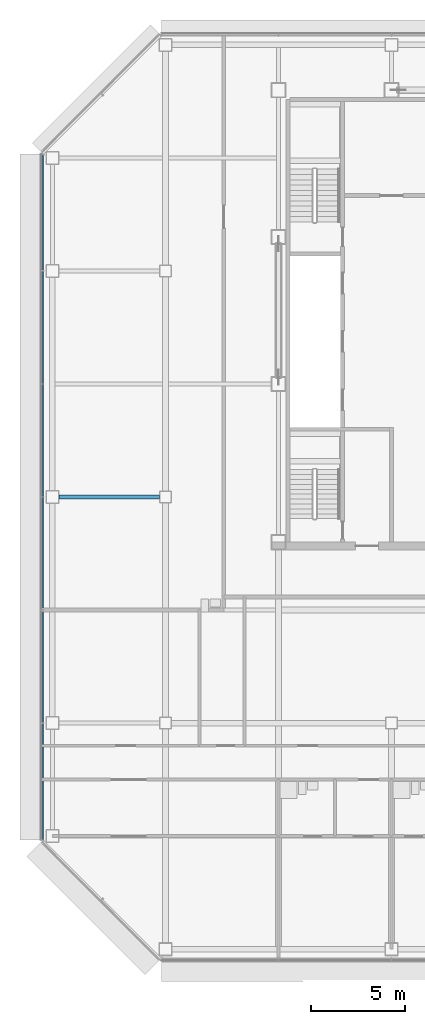
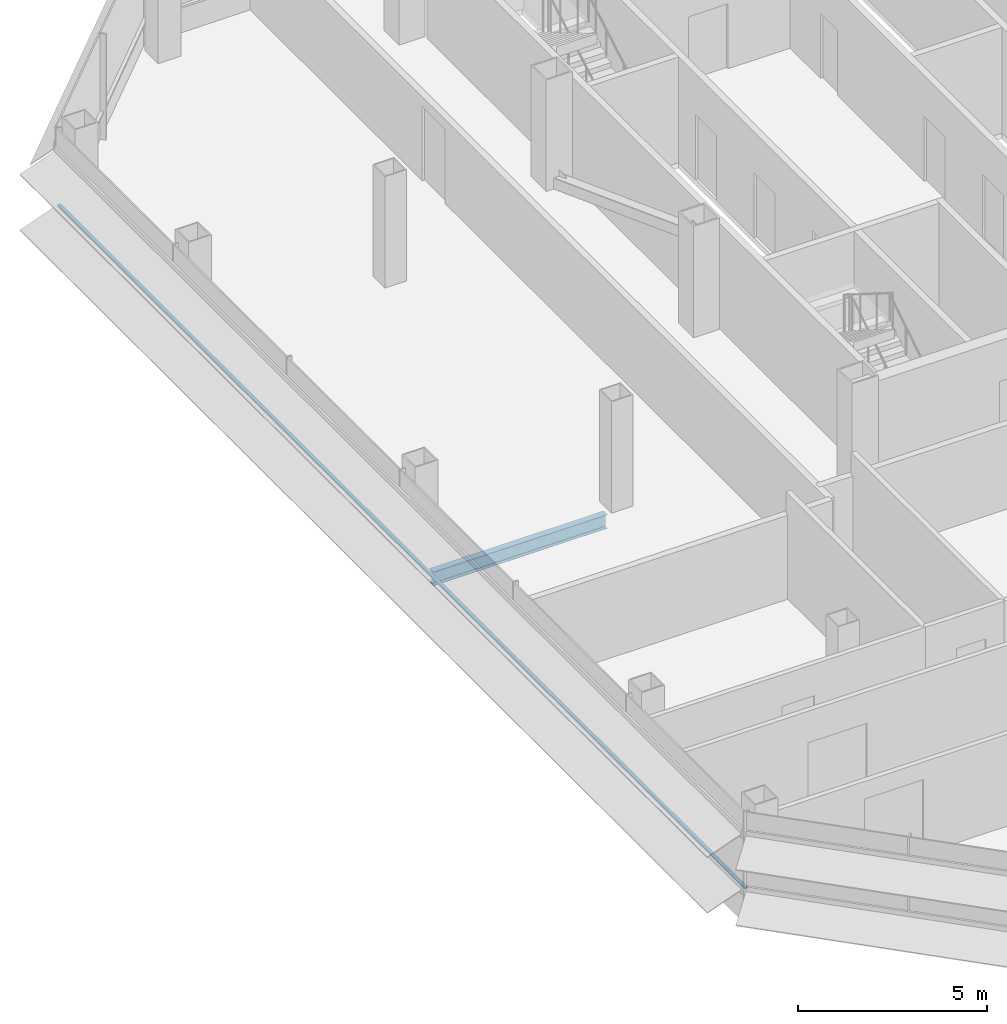
# One storey, part 5 of 26: 1 beam, 1 member, 1 element without a shape of its own.
"""IFC4 building model written with IfcOpenShell, lengths in metres."""

from ifc_helpers import new_model, si_unit, direction, frame, origin, origin_2d, place, context, subcontext, project, spatial, rectangle, i_section, extrude, material, material_profile, profile_set, type_object, element, aggregate, save


model = new_model("IFC4")

# Units and contexts
model_context = context("Model", 3, precision=1e-05, world=origin(), true_north=direction((0.0, 1.0)))
body_context = subcontext(model_context, "Body", "Model", "MODEL_VIEW")
ifc_project = project(units=[si_unit("LENGTHUNIT", "METRE"), si_unit("AREAUNIT", "SQUARE_METRE"), si_unit("VOLUMEUNIT", "CUBIC_METRE"), si_unit("PLANEANGLEUNIT", "RADIAN"), si_unit("MASSUNIT", "GRAM", prefix="KILO")], contexts=[model_context])

# Site, building, storey
site_placement = place(None, origin())
site = spatial("IfcSite", under=ifc_project, at=site_placement, CompositionType="ELEMENT")
building_placement = place(site_placement, origin())
building = spatial("IfcBuilding", under=site, at=building_placement, Name="Sorahane Residences", CompositionType="ELEMENT")
storey_placement = place(building_placement, frame((0.0, 0.0, 154.60009765625)))
storey = spatial("IfcBuildingStorey", under=building, at=storey_placement, Name="L35", CompositionType="ELEMENT", Elevation=154.60009765625)

# Curtain wall, member
ifc_material_1 = material(Name="Dark low-e glass and black anodised aluminium", Category="aluminium")
curtain_wall_type = type_object("IfcCurtainWallType", Name="Curtain wall CW-1 Typical unitised wall", PredefinedType="NOTDEFINED", material=ifc_material_1)
curtain_wall_placement = place(storey_placement, origin())
curtain_wall = element("IfcCurtainWall", 1, at=curtain_wall_placement, inside=storey, type_object=curtain_wall_type, Name="CW-1 curtain wall L35 W1", PredefinedType="NOTDEFINED")
ifc_material_2 = material(Name="Black anodised aluminium", Category="aluminium")
ifc_material_profile_1 = material_profile(ifc_material_2, rectangle(XDim=0.10009765625, YDim=0.06005859375, at=origin_2d()), Name="Curtain wall transom CW-1 black anodised aluminium 60x100")
ifc_profile_set_1 = profile_set([ifc_material_profile_1], Name="Black anodised aluminium")
member_type = type_object("IfcMemberType", Name="Curtain wall transom CW-1 black anodised aluminium 60x100", PredefinedType="USERDEFINED", material=ifc_profile_set_1)
member_placement = place(storey_placement, frame((-6.530029296875, 42.198486328125, 0.89990234375), z_axis=(0.0, -1.0, 0.0), x_axis=(1.0, 0.0, 0.0)))
member = element("IfcMember", 2, at=member_placement, type_object=member_type, Name="CW-1 transom L35 W1", ObjectType="TRANSOM", PredefinedType="USERDEFINED", context=body_context, shape_type="SweptSolid", body=[
    extrude(rectangle(XDim=0.10009765625, YDim=0.06005859375, at=origin_2d()), origin(), (0.0, 0.0, 1.0), 36.39697265625),
])
aggregate(curtain_wall, [member])

# Beam
ifc_material_3 = material(Name="Steel Q355B", Category="steel")
ifc_material_profile_2 = material_profile(ifc_material_3, i_section(OverallWidth=0.199951171875, OverallDepth=0.449951171875, WebThickness=0.009033203125, FlangeThickness=0.013916015625, FilletRadius=0.02001953125, at=origin_2d()), Name="HN 450x200x9x14")
ifc_profile_set_2 = profile_set([ifc_material_profile_2], Name="Steel Q355B")
beam_type = type_object("IfcBeamType", Name="Steel floor beam HN 450x200x9x14 Q355B", PredefinedType="BEAM", material=ifc_profile_set_2)
beam_placement = place(storey_placement, frame((-5.64990234375, 24.0, -0.405029296875), z_axis=(1.0, 0.0, 0.0), x_axis=(0.0, 1.0, 0.0)))
element("IfcBeam", 3, at=beam_placement, inside=storey, type_object=beam_type, Name="Beam L35 011", PredefinedType="BEAM", context=body_context, shape_type="SweptSolid", body=[
    extrude(i_section(OverallWidth=0.199951171875, OverallDepth=0.449951171875, WebThickness=0.009033203125, FlangeThickness=0.013916015625, FilletRadius=0.02001953125, at=origin_2d()), origin(), (0.0, 0.0, 1.0), 5.324951171875),
])

save(model, "model.ifc")
